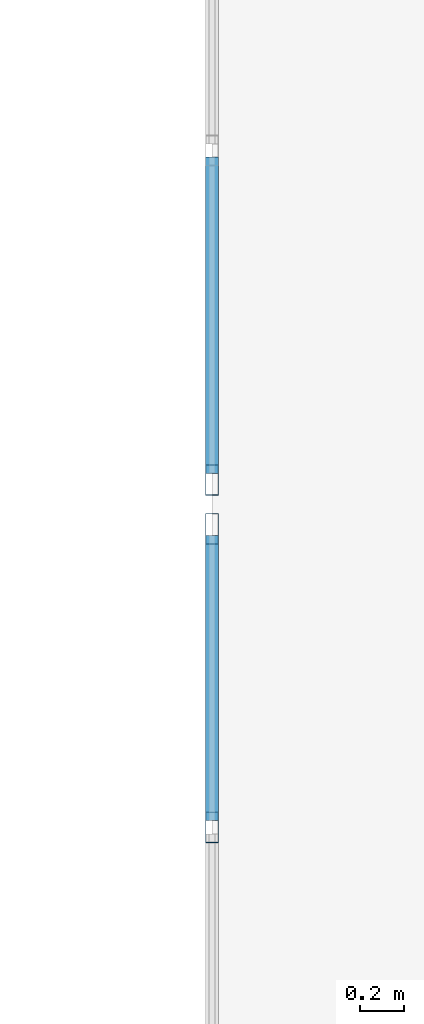
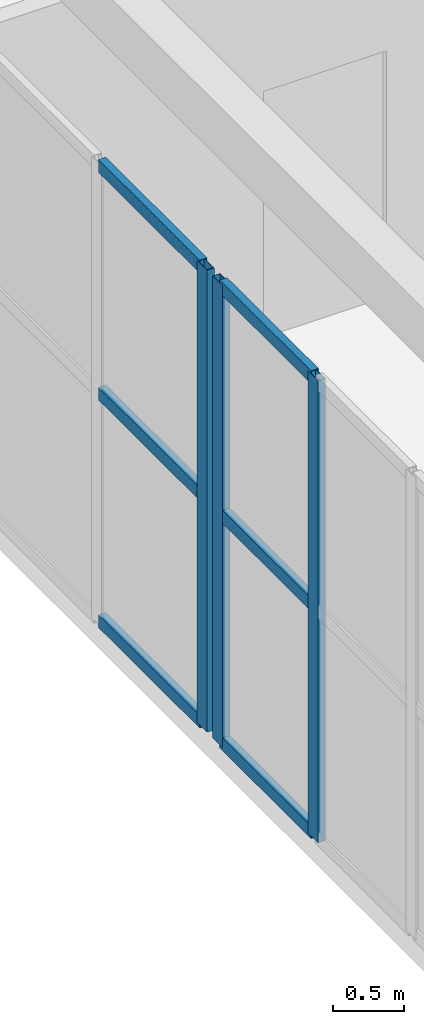
# One storey, part 19 of 140: 9 members, 2 elements without a shape of their own.
"""IFC4 building model written with IfcOpenShell, lengths in metres."""

from ifc_helpers import new_model, si_unit, direction, frame, origin, origin_2d, place, context, subcontext, project, spatial, hollow_rectangle, extrude, material, layer, layer_set, material_profile, profile_set, type_object, element, aggregate, save


model = new_model("IFC4")

# Units and contexts
model_context = context("Model", 3, precision=1e-05, world=origin(), true_north=direction((0.0, 1.0)))
body_context = subcontext(model_context, "Body", "Model", "MODEL_VIEW")
ifc_project = project(units=[si_unit("LENGTHUNIT", "METRE"), si_unit("AREAUNIT", "SQUARE_METRE"), si_unit("VOLUMEUNIT", "CUBIC_METRE"), si_unit("PLANEANGLEUNIT", "RADIAN"), si_unit("MASSUNIT", "GRAM", prefix="KILO")], contexts=[model_context])

# Site, building, storey
site_placement = place(None, origin())
site = spatial("IfcSite", under=ifc_project, at=site_placement, CompositionType="ELEMENT")
building_placement = place(site_placement, origin())
building = spatial("IfcBuilding", under=site, at=building_placement, Name="Trelvath General Hospital", CompositionType="ELEMENT")
storey_placement = place(building_placement, frame((0.0, 0.0, 16.199951171875)))
storey = spatial("IfcBuildingStorey", under=building, at=storey_placement, Name="L04", CompositionType="ELEMENT", Elevation=16.199951171875)

# Curtain wall, members
ifc_material_1 = material(Name="Anodised aluminium and low-E glass", Category="aluminium")
ifc_layer_1 = layer(ifc_material_1, 0.139892578125)
ifc_layer_set_1 = layer_set([ifc_layer_1], Name="Anodised aluminium and low-E glass")
curtain_wall_type_1 = type_object("IfcCurtainWallType", Name="CW CrystalCube 824 396 14", PredefinedType="USERDEFINED", material=ifc_layer_set_1)
curtain_wall_1_placement = place(storey_placement, origin())
curtain_wall_1 = element("IfcCurtainWall", 1, at=curtain_wall_1_placement, inside=storey, type_object=curtain_wall_type_1, Name="Crystal Cube Curtain Wall CUBE-W-T1 W2 L04", ObjectType="Unitised Glazed Curtain Wall", PredefinedType="USERDEFINED")
ifc_material_2 = material(Name="Anodised aluminium", Category="aluminium")
ifc_material_profile_1 = material_profile(ifc_material_2, hollow_rectangle(XDim=0.06005859375, YDim=0.139892578125, WallThickness=0.00390625, at=origin_2d()), Name="RHS60x140x4")
ifc_profile_set_1 = profile_set([ifc_material_profile_1], Name="Anodised aluminium")
member_type_1 = type_object("IfcMemberType", Name="CurtainMullion 60x140", PredefinedType="MULLION", material=ifc_profile_set_1)
member_1_placement = place(storey_placement, frame((53.199951171875, 48.94677734375, 0.0), z_axis=(0.0, 0.0, 1.0), x_axis=(-1.0, 0.0, 0.0)))
member_1 = element("IfcMember", 2, at=member_1_placement, type_object=member_type_1, Name="CW-276 mullion 6", PredefinedType="MULLION", context=body_context, shape_type="SweptSolid", body=[
    extrude(hollow_rectangle(XDim=0.06005859375, YDim=0.139892578125, WallThickness=0.00390625, at=origin_2d()), origin(), (0.0, 0.0, 1.0), 3.9599609375),
])
member_2_placement = place(storey_placement, frame((53.199951171875, 50.2900390625, 0.0), z_axis=(0.0, 0.0, 1.0), x_axis=(-1.0, 0.0, 0.0)))
member_2 = element("IfcMember", 3, at=member_2_placement, type_object=member_type_1, Name="CW-276 mullion 7", PredefinedType="MULLION", context=body_context, shape_type="SweptSolid", body=[
    extrude(hollow_rectangle(XDim=0.06005859375, YDim=0.139892578125, WallThickness=0.00390625, at=origin_2d()), origin(), (0.0, 0.0, 1.0), 3.9599609375),
])

# Curtain wall, member
ifc_material_3 = material(Name="Anodised aluminium and low-E glass", Category="aluminium")
ifc_layer_2 = layer(ifc_material_3, 0.139892578125)
ifc_layer_set_2 = layer_set([ifc_layer_2], Name="Anodised aluminium and low-E glass")
curtain_wall_type_2 = type_object("IfcCurtainWallType", Name="CW CrystalCube 1664 396 14", PredefinedType="USERDEFINED", material=ifc_layer_set_2)
curtain_wall_2_placement = place(storey_placement, origin())
curtain_wall_2 = element("IfcCurtainWall", 4, at=curtain_wall_2_placement, inside=storey, type_object=curtain_wall_type_2, Name="Crystal Cube Curtain Wall CUBE-W-T1 W3 L04", ObjectType="Unitised Glazed Curtain Wall", PredefinedType="USERDEFINED")
member_3_placement = place(storey_placement, frame((53.199951171875, 50.510009765625, 0.0), z_axis=(0.0, 0.0, 1.0), x_axis=(-1.0, 0.0, 0.0)))
member_3 = element("IfcMember", 5, at=member_3_placement, type_object=member_type_1, Name="CW-277 mullion 1", PredefinedType="MULLION", context=body_context, shape_type="SweptSolid", body=[
    extrude(hollow_rectangle(XDim=0.06005859375, YDim=0.139892578125, WallThickness=0.00390625, at=origin_2d()), origin(), (0.0, 0.0, 1.0), 3.9599609375),
])

# Member
ifc_material_4 = material(Name="Anodised aluminium", Category="aluminium")
ifc_material_profile_2 = material_profile(ifc_material_4, hollow_rectangle(XDim=0.06005859375, YDim=0.110107421875, WallThickness=0.00390625, at=origin_2d()), Name="RHS60x110x4")
ifc_profile_set_2 = profile_set([ifc_material_profile_2], Name="Anodised aluminium")
member_type_2 = type_object("IfcMemberType", Name="CurtainTransom 60x110", PredefinedType="USERDEFINED", material=ifc_profile_set_2)
member_4_placement = place(storey_placement, frame((53.199951171875, 48.9765625, 0.030029296875), z_axis=(0.0, 1.0, 0.0), x_axis=(-1.0, 0.0, 0.0)))
member_4 = element("IfcMember", 6, at=member_4_placement, type_object=member_type_2, Name="CW-276 transom 6.1", ObjectType="TRANSOM", PredefinedType="USERDEFINED", context=body_context, shape_type="SweptSolid", body=[
    extrude(hollow_rectangle(XDim=0.06005859375, YDim=0.110107421875, WallThickness=0.00390625, at=origin_2d()), origin(), (0.0, 0.0, 1.0), 1.283447265625),
])

member_5_placement = place(storey_placement, frame((53.199951171875, 48.9765625, 1.97998046875), z_axis=(0.0, 1.0, 0.0), x_axis=(-1.0, 0.0, 0.0)))
member_5 = element("IfcMember", 7, at=member_5_placement, type_object=member_type_2, Name="CW-276 transom 6.2", ObjectType="TRANSOM", PredefinedType="USERDEFINED", context=body_context, shape_type="SweptSolid", body=[
    extrude(hollow_rectangle(XDim=0.06005859375, YDim=0.110107421875, WallThickness=0.00390625, at=origin_2d()), origin(), (0.0, 0.0, 1.0), 1.283447265625),
])

member_6_placement = place(storey_placement, frame((53.199951171875, 48.9765625, 3.929931640625), z_axis=(0.0, 1.0, 0.0), x_axis=(-1.0, 0.0, 0.0)))
member_6 = element("IfcMember", 8, at=member_6_placement, type_object=member_type_2, Name="CW-276 transom 6.3", ObjectType="TRANSOM", PredefinedType="USERDEFINED", context=body_context, shape_type="SweptSolid", body=[
    extrude(hollow_rectangle(XDim=0.06005859375, YDim=0.110107421875, WallThickness=0.00390625, at=origin_2d()), origin(), (0.0, 0.0, 1.0), 1.283447265625),
])

aggregate(curtain_wall_1, [member_1, member_2, member_4, member_5, member_6])

member_7_placement = place(storey_placement, frame((53.199951171875, 50.5400390625, 0.030029296875), z_axis=(0.0, 1.0, 0.0), x_axis=(-1.0, 0.0, 0.0)))
member_7 = element("IfcMember", 9, at=member_7_placement, type_object=member_type_2, Name="CW-277 transom 1.1", ObjectType="TRANSOM", PredefinedType="USERDEFINED", context=body_context, shape_type="SweptSolid", body=[
    extrude(hollow_rectangle(XDim=0.06005859375, YDim=0.110107421875, WallThickness=0.00390625, at=origin_2d()), origin(), (0.0, 0.0, 1.0), 1.422607421875),
])

member_8_placement = place(storey_placement, frame((53.199951171875, 50.5400390625, 1.97998046875), z_axis=(0.0, 1.0, 0.0), x_axis=(-1.0, 0.0, 0.0)))
member_8 = element("IfcMember", 10, at=member_8_placement, type_object=member_type_2, Name="CW-277 transom 1.2", ObjectType="TRANSOM", PredefinedType="USERDEFINED", context=body_context, shape_type="SweptSolid", body=[
    extrude(hollow_rectangle(XDim=0.06005859375, YDim=0.110107421875, WallThickness=0.00390625, at=origin_2d()), origin(), (0.0, 0.0, 1.0), 1.422607421875),
])

member_9_placement = place(storey_placement, frame((53.199951171875, 50.5400390625, 3.929931640625), z_axis=(0.0, 1.0, 0.0), x_axis=(-1.0, 0.0, 0.0)))
member_9 = element("IfcMember", 11, at=member_9_placement, type_object=member_type_2, Name="CW-277 transom 1.3", ObjectType="TRANSOM", PredefinedType="USERDEFINED", context=body_context, shape_type="SweptSolid", body=[
    extrude(hollow_rectangle(XDim=0.06005859375, YDim=0.110107421875, WallThickness=0.00390625, at=origin_2d()), origin(), (0.0, 0.0, 1.0), 1.422607421875),
])

aggregate(curtain_wall_2, [member_3, member_7, member_8, member_9])

save(model, "model.ifc")
